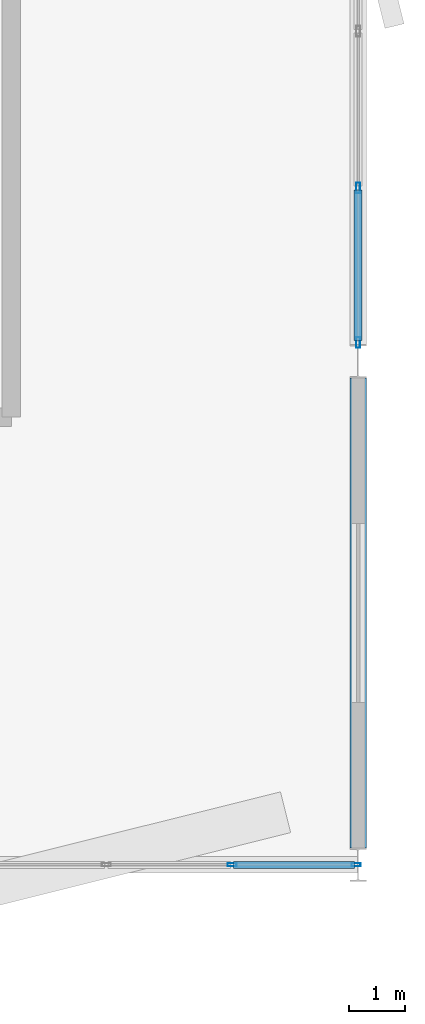
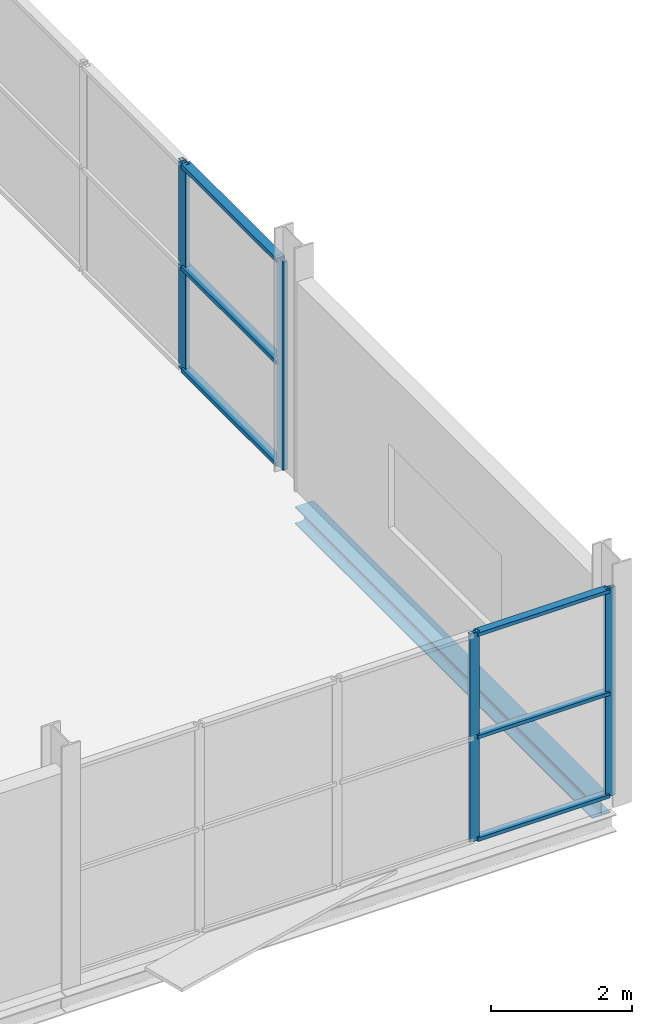
# One storey, part 84 of 135: 10 members, 1 beam, 2 elements without a shape of their own.
"""IFC4 building model written with IfcOpenShell, lengths in metres."""

from ifc_helpers import new_model, si_unit, direction, frame, origin, origin_2d, place, context, subcontext, project, spatial, hollow_rectangle, i_section, extrude, material, layer, layer_set, material_profile, profile_set, type_object, element, aggregate, save


model = new_model("IFC4")

# Units and contexts
model_context = context("Model", 3, precision=1e-05, world=origin(), true_north=direction((0.0, 1.0)))
body_context = subcontext(model_context, "Body", "Model", "MODEL_VIEW")
ifc_project = project(units=[si_unit("LENGTHUNIT", "METRE"), si_unit("AREAUNIT", "SQUARE_METRE"), si_unit("VOLUMEUNIT", "CUBIC_METRE"), si_unit("PLANEANGLEUNIT", "RADIAN"), si_unit("MASSUNIT", "GRAM", prefix="KILO")], contexts=[model_context])

# Site, building, storey
site_placement = place(None, origin())
site = spatial("IfcSite", under=ifc_project, at=site_placement, CompositionType="ELEMENT")
building_placement = place(site_placement, origin())
building = spatial("IfcBuilding", under=site, at=building_placement, Name="Deido Ridge Mobility Hub", CompositionType="ELEMENT")
storey_placement = place(building_placement, frame((0.0, 0.0, 4.199951171875)))
storey = spatial("IfcBuildingStorey", under=building, at=storey_placement, Name="L01", CompositionType="ELEMENT", Elevation=4.199951171875)

# Curtain wall, members
ifc_material_1 = material(Name="Anodised aluminium EN AW-6063 T6", Category="aluminium")
ifc_layer_1 = layer(ifc_material_1, 0.195068359375, Name="Anodised aluminium EN AW-6063 T6")
ifc_layer_set_1 = layer_set([ifc_layer_1], Name="Anodised aluminium EN AW-6063 T6")
curtain_wall_type_1 = type_object("IfcCurtainWallType", Name="CW-UF-3", PredefinedType="USERDEFINED", material=ifc_layer_set_1)
curtain_wall_1_placement = place(storey_placement, origin())
curtain_wall_1 = element("IfcCurtainWall", 1, at=curtain_wall_1_placement, inside=storey, type_object=curtain_wall_type_1, Name="Unitised curtain wall CW3", ObjectType="UNITISED FACADE", PredefinedType="USERDEFINED")
ifc_material_profile_1 = material_profile(ifc_material_1, hollow_rectangle(XDim=0.06005859375, YDim=0.159912109375, WallThickness=0.00390625, at=origin_2d()), Name="RHS 60x160x4")
ifc_profile_set_1 = profile_set([ifc_material_profile_1], Name="Anodised aluminium EN AW-6063 T6")
member_type_1 = type_object("IfcMemberType", Name="MEM-MUL-60X160", PredefinedType="MULLION", material=ifc_profile_set_1)
member_1_placement = place(storey_placement, frame((177.74609375, 0.0, 0.0), z_axis=(0.0, 0.0, 1.0), x_axis=(0.0, 1.0, 0.0)))
member_1 = element("IfcMember", 2, at=member_1_placement, type_object=member_type_1, Name="CW3 mullion 4", PredefinedType="MULLION", context=body_context, shape_type="SweptSolid", body=[
    extrude(hollow_rectangle(XDim=0.06005859375, YDim=0.159912109375, WallThickness=0.00390625, at=origin_2d()), origin(), (0.0, 0.0, 1.0), 3.60009765625),
])
member_2_placement = place(storey_placement, frame((179.96240234375, 0.0, 0.0), z_axis=(0.0, 0.0, 1.0), x_axis=(0.0, 1.0, 0.0)))
member_2 = element("IfcMember", 3, at=member_2_placement, type_object=member_type_1, Name="CW3 mullion 5", PredefinedType="MULLION", context=body_context, shape_type="SweptSolid", body=[
    extrude(hollow_rectangle(XDim=0.06005859375, YDim=0.159912109375, WallThickness=0.00390625, at=origin_2d()), origin(), (0.0, 0.0, 1.0), 3.60009765625),
])

ifc_layer_2 = layer(ifc_material_1, 0.22509765625, Name="Anodised aluminium EN AW-6063 T6")
ifc_layer_set_2 = layer_set([ifc_layer_2], Name="Anodised aluminium EN AW-6063 T6")
curtain_wall_type_2 = type_object("IfcCurtainWallType", Name="CW-UF-5", PredefinedType="USERDEFINED", material=ifc_layer_set_2)
curtain_wall_2_placement = place(storey_placement, origin())
curtain_wall_2 = element("IfcCurtainWall", 4, at=curtain_wall_2_placement, inside=storey, type_object=curtain_wall_type_2, Name="Unitised curtain wall CW5", ObjectType="UNITISED FACADE", PredefinedType="USERDEFINED")
ifc_material_profile_2 = material_profile(ifc_material_1, hollow_rectangle(XDim=0.070068359375, YDim=0.18994140625, WallThickness=0.00390625, at=origin_2d()), Name="RHS 70x190x4")
ifc_profile_set_2 = profile_set([ifc_material_profile_2], Name="Anodised aluminium EN AW-6063 T6")
member_type_2 = type_object("IfcMemberType", Name="MEM-MUL-70X190", PredefinedType="MULLION", material=ifc_profile_set_2)
member_3_placement = place(storey_placement, frame((180.0, 9.3349609375, 0.0), z_axis=(0.0, 0.0, 1.0), x_axis=(-1.0, 0.0, 0.0)))
member_3 = element("IfcMember", 5, at=member_3_placement, type_object=member_type_2, Name="CW5 mullion 1", PredefinedType="MULLION", context=body_context, shape_type="SweptSolid", body=[
    extrude(hollow_rectangle(XDim=0.070068359375, YDim=0.18994140625, WallThickness=0.00390625, at=origin_2d()), origin(), (0.0, 0.0, 1.0), 3.60009765625),
])
member_4_placement = place(storey_placement, frame((180.0, 12.10009765625, 0.0), z_axis=(0.0, 0.0, 1.0), x_axis=(-1.0, 0.0, 0.0)))
member_4 = element("IfcMember", 6, at=member_4_placement, type_object=member_type_2, Name="CW5 mullion 2", PredefinedType="MULLION", context=body_context, shape_type="SweptSolid", body=[
    extrude(hollow_rectangle(XDim=0.070068359375, YDim=0.18994140625, WallThickness=0.00390625, at=origin_2d()), origin(), (0.0, 0.0, 1.0), 3.60009765625),
])

# Member
ifc_material_profile_3 = material_profile(ifc_material_1, hollow_rectangle(XDim=0.125, YDim=0.06005859375, WallThickness=0.00390625, at=origin_2d()), Name="RHS 125x60x4")
ifc_profile_set_3 = profile_set([ifc_material_profile_3], Name="Anodised aluminium EN AW-6063 T6")
member_type_3 = type_object("IfcMemberType", Name="MEM-TRN-125X60", PredefinedType="USERDEFINED", material=ifc_profile_set_3)
member_5_placement = place(storey_placement, frame((177.776123046875, 0.0, 0.030029296875), z_axis=(1.0, 0.0, 0.0), x_axis=(0.0, 1.0, 0.0)))
member_5 = element("IfcMember", 7, at=member_5_placement, type_object=member_type_3, Name="CW3 transom 4.1", ObjectType="TRANSOM", PredefinedType="USERDEFINED", context=body_context, shape_type="SweptSolid", body=[
    extrude(hollow_rectangle(XDim=0.125, YDim=0.06005859375, WallThickness=0.00390625, at=origin_2d()), origin(), (0.0, 0.0, 1.0), 2.15625),
])

member_6_placement = place(storey_placement, frame((177.776123046875, 0.0, 1.800048828125), z_axis=(1.0, 0.0, 0.0), x_axis=(0.0, 1.0, 0.0)))
member_6 = element("IfcMember", 8, at=member_6_placement, type_object=member_type_3, Name="CW3 transom 4.2", ObjectType="TRANSOM", PredefinedType="USERDEFINED", context=body_context, shape_type="SweptSolid", body=[
    extrude(hollow_rectangle(XDim=0.125, YDim=0.06005859375, WallThickness=0.00390625, at=origin_2d()), origin(), (0.0, 0.0, 1.0), 2.15625),
])

member_7_placement = place(storey_placement, frame((177.776123046875, 0.0, 3.570068359375), z_axis=(1.0, 0.0, 0.0), x_axis=(0.0, 1.0, 0.0)))
member_7 = element("IfcMember", 9, at=member_7_placement, type_object=member_type_3, Name="CW3 transom 4.3", ObjectType="TRANSOM", PredefinedType="USERDEFINED", context=body_context, shape_type="SweptSolid", body=[
    extrude(hollow_rectangle(XDim=0.125, YDim=0.06005859375, WallThickness=0.00390625, at=origin_2d()), origin(), (0.0, 0.0, 1.0), 2.15625),
])

aggregate(curtain_wall_1, [member_1, member_2, member_5, member_6, member_7])

ifc_material_profile_4 = material_profile(ifc_material_1, hollow_rectangle(XDim=0.14501953125, YDim=0.070068359375, WallThickness=0.00390625, at=origin_2d()), Name="RHS 145x70x4")
ifc_profile_set_4 = profile_set([ifc_material_profile_4], Name="Anodised aluminium EN AW-6063 T6")
member_type_4 = type_object("IfcMemberType", Name="MEM-TRN-145X70", PredefinedType="USERDEFINED", material=ifc_profile_set_4)
member_8_placement = place(storey_placement, frame((180.0, 9.3701171875, 0.03515625), z_axis=(0.0, 1.0, 0.0), x_axis=(-1.0, 0.0, 0.0)))
member_8 = element("IfcMember", 10, at=member_8_placement, type_object=member_type_4, Name="CW5 transom 1.1", ObjectType="TRANSOM", PredefinedType="USERDEFINED", context=body_context, shape_type="SweptSolid", body=[
    extrude(hollow_rectangle(XDim=0.14501953125, YDim=0.070068359375, WallThickness=0.00390625, at=origin_2d()), origin(), (0.0, 0.0, 1.0), 2.69482421875),
])

member_9_placement = place(storey_placement, frame((180.0, 9.3701171875, 1.800048828125), z_axis=(0.0, 1.0, 0.0), x_axis=(-1.0, 0.0, 0.0)))
member_9 = element("IfcMember", 11, at=member_9_placement, type_object=member_type_4, Name="CW5 transom 1.2", ObjectType="TRANSOM", PredefinedType="USERDEFINED", context=body_context, shape_type="SweptSolid", body=[
    extrude(hollow_rectangle(XDim=0.14501953125, YDim=0.070068359375, WallThickness=0.00390625, at=origin_2d()), origin(), (0.0, 0.0, 1.0), 2.69482421875),
])

member_10_placement = place(storey_placement, frame((180.0, 9.3701171875, 3.56494140625), z_axis=(0.0, 1.0, 0.0), x_axis=(-1.0, 0.0, 0.0)))
member_10 = element("IfcMember", 12, at=member_10_placement, type_object=member_type_4, Name="CW5 transom 1.3", ObjectType="TRANSOM", PredefinedType="USERDEFINED", context=body_context, shape_type="SweptSolid", body=[
    extrude(hollow_rectangle(XDim=0.14501953125, YDim=0.070068359375, WallThickness=0.00390625, at=origin_2d()), origin(), (0.0, 0.0, 1.0), 2.69482421875),
])

aggregate(curtain_wall_2, [member_3, member_4, member_8, member_9, member_10])

# Beam
ifc_material_2 = material(Name="Steel S355J2 EN 10025-2", Category="steel")
ifc_material_profile_5 = material_profile(ifc_material_2, i_section(OverallWidth=0.300048828125, OverallDepth=0.300048828125, WebThickness=0.010986328125, FlangeThickness=0.01904296875, FilletRadius=0.027099609375, at=origin_2d()), Name="HEB 300")
ifc_profile_set_5 = profile_set([ifc_material_profile_5], Name="Steel S355J2 EN 10025-2")
beam_type = type_object("IfcBeamType", Name="SPD-HEB300", PredefinedType="SPANDREL", material=ifc_profile_set_5)
beam_placement = place(storey_placement, frame((180.0, 0.300048828125, -0.39990234375), z_axis=(0.0, 1.0, 0.0), x_axis=(-1.0, 0.0, 0.0)))
element("IfcBeam", 13, at=beam_placement, inside=storey, type_object=beam_type, Name="Floor beam SP1", PredefinedType="SPANDREL", context=body_context, shape_type="SweptSolid", body=[
    extrude(i_section(OverallWidth=0.300048828125, OverallDepth=0.300048828125, WebThickness=0.010986328125, FlangeThickness=0.01904296875, FilletRadius=0.027099609375, at=origin_2d()), origin(), (0.0, 0.0, 1.0), 8.39990234375),
])

save(model, "model.ifc")
